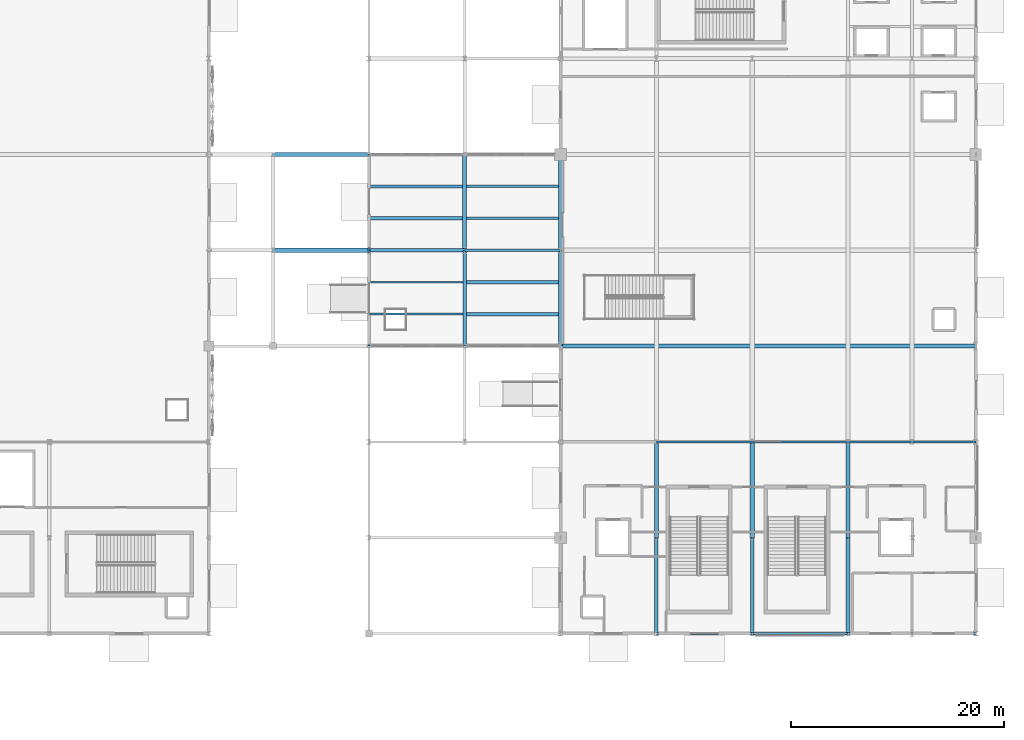
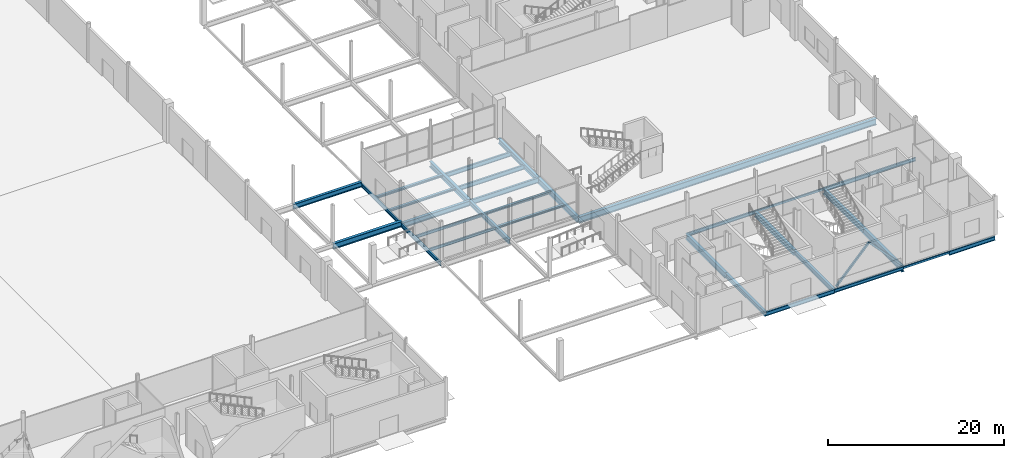
# One storey, part 32 of 94: 33 beams, 2 members.
"""IFC4 building model written with IfcOpenShell, lengths in metres."""

import ifcopenshell
import ifcopenshell.guid

model = None  # the IFC model being written
_history = None  # IfcOwnerHistory: only IFC2X3 demands one
_inside = {}  # id of a spatial element -> (the spatial element, [elements in it])
_under = {}  # id of a project, library or spatial element -> (it, [spatial elements below it])
_declared = {}  # id of a project -> (the project, [libraries it declares])
_typed = {}  # id of a type object -> (the type object, [elements of that type])
_made_of = {}  # id of a material, layer set ... -> (it, [elements and type objects made of it])


def new_model(schema):
    """Start an empty IFC model of exactly this schema.

    Asked for "IFC4X3", IfcOpenShell would pick the latest addendum, in which some entities
    have other attributes; the version numbers below select the first issue.
    IFC2X3 requires an IfcOwnerHistory on every rooted entity: one is made here for all.
    """
    global model, _history
    if schema == "IFC4X3":
        model = ifcopenshell.file(schema_version=(4, 3, 0, 0))
    else:
        model = ifcopenshell.file(schema=schema)
    _inside.clear()
    _under.clear()
    _declared.clear()
    _typed.clear()
    _made_of.clear()
    _history = None
    if model.schema == "IFC2X3":
        org = make("IfcOrganization", Name="unknown")
        user = make(
            "IfcPersonAndOrganization",
            ThePerson=make("IfcPerson", FamilyName="unknown"),
            TheOrganization=org,
        )
        app = make(
            "IfcApplication",
            ApplicationDeveloper=org,
            Version="unknown",
            ApplicationFullName="unknown",
            ApplicationIdentifier="unknown",
        )
        _history = make(
            "IfcOwnerHistory",
            OwningUser=user,
            OwningApplication=app,
            ChangeAction="ADDED",
            CreationDate=0,
        )
    return model


def make(cls, **values):
    """One entity of the class cls with the attributes given. An attribute that is None is left unset."""
    return model.create_entity(
        cls, **{name: value for name, value in values.items() if value is not None}
    )


def rooted(cls, **values):
    """An entity with a GlobalId (a new one), such as an element, a storey or a relation."""
    return make(cls, GlobalId=ifcopenshell.guid.new(), OwnerHistory=_history, **values)


def si_unit(unit_type, name, prefix=None):
    """IfcSIUnit, for example si_unit("LENGTHUNIT", "METRE", prefix="MILLI")."""
    return make("IfcSIUnit", UnitType=unit_type, Prefix=prefix, Name=name)


def assignment(units):
    """IfcUnitAssignment: the units of a project."""
    return None if units is None else make("IfcUnitAssignment", Units=units)


def point(xyz):
    """IfcCartesianPoint."""
    return None if xyz is None else make("IfcCartesianPoint", Coordinates=xyz)


def direction(xyz):
    """IfcDirection."""
    return None if xyz is None else make("IfcDirection", DirectionRatios=xyz)


def frame(location, z_axis=None, x_axis=None):
    """IfcAxis2Placement3D, a coordinate frame: its origin and axes. An axis left out is left unset."""
    return make(
        "IfcAxis2Placement3D",
        Location=point(location),
        Axis=direction(z_axis),
        RefDirection=direction(x_axis),
    )


def frame_2d(location, x_axis=None):
    """IfcAxis2Placement2D, a coordinate frame in the plane: its origin and x axis."""
    return make(
        "IfcAxis2Placement2D", Location=point(location), RefDirection=direction(x_axis)
    )


def origin():
    """The frame at (0, 0, 0) with its axes left unset."""
    return frame((0.0, 0.0, 0.0))


def origin_2d():
    """The frame at (0, 0) in the plane with its x axis left unset."""
    return frame_2d((0.0, 0.0))


def place(relative_to, where):
    """IfcLocalPlacement: puts the frame where relative to a parent placement (None: the world)."""
    return make(
        "IfcLocalPlacement", PlacementRelTo=relative_to, RelativePlacement=where
    )


def context(
    kind, dimensions, precision=None, world=None, true_north=None, identifier=None
):
    """IfcGeometricRepresentationContext, for example the 3D "Model" context."""
    return make(
        "IfcGeometricRepresentationContext",
        ContextIdentifier=identifier,
        ContextType=kind,
        CoordinateSpaceDimension=dimensions,
        Precision=precision,
        WorldCoordinateSystem=world,
        TrueNorth=true_north,
    )


def subcontext(parent, identifier, kind, view, scale=None):
    """IfcGeometricRepresentationSubContext, for example "Body" below "Model"."""
    return make(
        "IfcGeometricRepresentationSubContext",
        ContextIdentifier=identifier,
        ContextType=kind,
        ParentContext=parent,
        TargetScale=scale,
        TargetView=view,
    )


def project(units=None, contexts=None):
    """IfcProject with its units and contexts."""
    return rooted(
        "IfcProject",
        Name="project",
        RepresentationContexts=contexts,
        UnitsInContext=assignment(units),
    )


def spatial(cls, under=None, at=None, **own):
    """A site, building, storey or space (cls), placed at a placement, below another one or the project."""
    s = rooted(cls, ObjectPlacement=at, **own)
    if under is not None:
        _under.setdefault(under.id(), (under, []))[1].append(s)
    return s


def profile(cls, at=None, kind="AREA", **sizes):
    """A parametric profile (cls). Its sizes go by their IFC names, for example OverallWidth=200.0."""
    return make(cls, ProfileType=kind, Position=at, **sizes)


def hollow_rectangle(**sizes):
    """IfcRectangleHollowProfileDef."""
    return profile("IfcRectangleHollowProfileDef", **sizes)


def i_section(**sizes):
    """IfcIShapeProfileDef."""
    return profile("IfcIShapeProfileDef", **sizes)


def extrude(swept, where, along, depth):
    """IfcExtrudedAreaSolid: the profile swept, set in the frame where, extruded along a direction by depth."""
    return make(
        "IfcExtrudedAreaSolid",
        SweptArea=swept,
        Position=where,
        ExtrudedDirection=direction(along),
        Depth=depth,
    )


def shape(context_of_items, identifier, shape_type, items):
    """IfcShapeRepresentation: the items that make up one representation, for example the "Body"."""
    return make(
        "IfcShapeRepresentation",
        ContextOfItems=context_of_items,
        RepresentationIdentifier=identifier,
        RepresentationType=shape_type,
        Items=items,
    )


def material(Name=None, Category=None):
    """IfcMaterial."""
    return make("IfcMaterial", Name=Name, Category=Category)


def material_profile(
    of_material, cross_section, Name=None, Category=None, Priority=None
):
    """IfcMaterialProfile: a cross section and its material."""
    return make(
        "IfcMaterialProfile",
        Name=Name,
        Material=of_material,
        Profile=cross_section,
        Priority=Priority,
        Category=Category,
    )


def profile_set(profiles, Name=None, composite=None):
    """IfcMaterialProfileSet."""
    return make(
        "IfcMaterialProfileSet",
        Name=Name,
        MaterialProfiles=profiles,
        CompositeProfile=composite,
    )


def made_of(thing, what):
    """Note that an element or type object is made of a material, layer set ...; save() writes the relation."""
    if what is not None:
        _made_of.setdefault(what.id(), (what, []))[1].append(thing)
    return thing


def type_object(cls, material=None, **own):
    """A type object (cls), such as IfcWallType, which elements share."""
    return made_of(rooted(cls, **own), material)


def element(
    cls,
    number,
    at=None,
    inside=None,
    cuts=None,
    type_object=None,
    material=None,
    context=None,
    identifier="Body",
    shape_type=None,
    held_by="IfcProductDefinitionShape",
    body=None,
    shapes=None,
    **own,
):
    """One element of the class cls, such as IfcWall. Its Tag is "e" and its number.

    at: its placement. inside: the storey or other place that contains it. cuts: it is an
    opening in that element (IfcRelVoidsElement). A single representation is given by context,
    identifier, shape_type and body (its items); several are given by shapes. held_by: the class
    of the entity that holds the representations. save() writes the other relations.
    """
    e = rooted(cls, Tag="e%d" % number, ObjectPlacement=at, **own)
    if body is not None:
        shapes = [shape(context, identifier, shape_type, body)]
    if shapes is not None:
        e.Representation = make(held_by, Representations=shapes)
    if inside is not None:
        _inside.setdefault(inside.id(), (inside, []))[1].append(e)
    if cuts is not None:
        rooted(
            "IfcRelVoidsElement", RelatingBuildingElement=cuts, RelatedOpeningElement=e
        )
    if type_object is not None:
        _typed.setdefault(type_object.id(), (type_object, []))[1].append(e)
    return made_of(e, material)


def aggregate(whole, parts):
    """IfcRelAggregates: a whole, such as a stair, and the parts it consists of."""
    return rooted("IfcRelAggregates", RelatingObject=whole, RelatedObjects=parts)


def save(model, path):
    """Write the relations noted so far, then the file.

    IfcRelAggregates (storeys below a building ...), IfcRelContainedInSpatialStructure (elements
    in a storey), IfcRelDefinesByType, IfcRelAssociatesMaterial and IfcRelDeclares: one each for
    every whole, place, type object, material and project.
    """
    for whole, parts in _under.values():
        aggregate(whole, parts)
    for where, things in _inside.values():
        rooted(
            "IfcRelContainedInSpatialStructure",
            RelatedElements=things,
            RelatingStructure=where,
        )
    for kind, things in _typed.values():
        rooted("IfcRelDefinesByType", RelatedObjects=things, RelatingType=kind)
    for what, things in _made_of.values():
        rooted("IfcRelAssociatesMaterial", RelatedObjects=things, RelatingMaterial=what)
    for by, libraries in _declared.values():
        rooted("IfcRelDeclares", RelatingContext=by, RelatedDefinitions=libraries)
    model.write(path)


model = new_model("IFC4")

# Units and contexts
model_context = context("Model", 3, precision=1e-05, world=origin(), true_north=direction((0.0, 1.0)))
body_context = subcontext(model_context, "Body", "Model", "MODEL_VIEW")
ifc_project = project(units=[si_unit("LENGTHUNIT", "METRE"), si_unit("AREAUNIT", "SQUARE_METRE"), si_unit("VOLUMEUNIT", "CUBIC_METRE"), si_unit("PLANEANGLEUNIT", "RADIAN"), si_unit("MASSUNIT", "GRAM", prefix="KILO")], contexts=[model_context])

# Site, building, storey
site_placement = place(None, origin())
site = spatial("IfcSite", under=ifc_project, at=site_placement, CompositionType="ELEMENT")
building_placement = place(site_placement, origin())
building = spatial("IfcBuilding", under=site, at=building_placement, Name="Qamarlyn Nura Convention Centre", CompositionType="ELEMENT")
storey_placement = place(building_placement, origin())
storey = spatial("IfcBuildingStorey", under=building, at=storey_placement, Name="L00", CompositionType="ELEMENT", Elevation=0.0)

# Beams
ifc_material_1 = material(Name="Steel ASTM A992", Category="steel")
ifc_material_profile_1 = material_profile(ifc_material_1, i_section(OverallWidth=0.323974609375, OverallDepth=0.611083984375, WebThickness=0.0126953125, FlangeThickness=0.01904296875, FilletRadius=0.01611328125, at=origin_2d()), Name="W610X155")
ifc_profile_set_1 = profile_set([ifc_material_profile_1], Name="Steel ASTM A992")
beam_type_1 = type_object("IfcBeamType", Name="BM-GIRD-610", PredefinedType="BEAM", material=ifc_profile_set_1)
for number, where, z_axis, x_axis, name in (
    (1, (144.0, 27.0, -0.60546875), (0.0, 1.0, 0.0), (-1.0, 0.0, 0.0), "L00 girder 12 D-E"),
    (2, (162.0, 0.0, -0.58544921875), (0.0, 1.0, 0.0), (-1.0, 0.0, 0.0), "L00 girder 14 A-B"),
    (3, (171.0, 0.0, -0.58544921875), (0.0, 1.0, 0.0), (-1.0, 0.0, 0.0), "L00 girder 15 A-B"),
):
    element("IfcBeam", number, at=place(storey_placement, frame(where, z_axis=z_axis, x_axis=x_axis)), inside=storey, type_object=beam_type_1, Name=name, PredefinedType="BEAM", context=body_context, shape_type="SweptSolid", body=[
        extrude(i_section(OverallWidth=0.323974609375, OverallDepth=0.611083984375, WebThickness=0.0126953125, FlangeThickness=0.01904296875, FilletRadius=0.01611328125, at=origin_2d()), origin(), (0.0, 0.0, 1.0), 9.0),
    ])
ifc_material_profile_2 = material_profile(ifc_material_1, i_section(OverallWidth=0.35498046875, OverallDepth=0.695068359375, WebThickness=0.015380859375, FlangeThickness=0.02490234375, FilletRadius=0.01806640625, at=origin_2d()), Name="W690X217")
ifc_profile_set_2 = profile_set([ifc_material_profile_2], Name="Steel ASTM A992")
beam_type_2 = type_object("IfcBeamType", Name="BM-GIRD-690A", PredefinedType="BEAM", material=ifc_profile_set_2)
for number, where, z_axis, x_axis, name in (
    (4, (135.0, 36.0, -0.6474609375), (1.0, 0.0, 0.0), (0.0, 1.0, 0.0), "L00 girder E 11-12"),
    (5, (126.0, 45.0, -0.347412109375), (1.0, 0.0, 0.0), (0.0, 1.0, 0.0), "L00 girder F 10-11"),
    (6, (153.0, 36.0, -0.6474609375), (0.0, 1.0, 0.0), (-1.0, 0.0, 0.0), "L00 girder 13 E-F"),
):
    element("IfcBeam", number, at=place(storey_placement, frame(where, z_axis=z_axis, x_axis=x_axis)), inside=storey, type_object=beam_type_2, Name=name, PredefinedType="BEAM", context=body_context, shape_type="SweptSolid", body=[
        extrude(i_section(OverallWidth=0.35498046875, OverallDepth=0.695068359375, WebThickness=0.015380859375, FlangeThickness=0.02490234375, FilletRadius=0.01806640625, at=origin_2d()), origin(), (0.0, 0.0, 1.0), 9.0),
    ])
ifc_material_profile_3 = material_profile(ifc_material_1, i_section(OverallWidth=0.25390625, OverallDepth=0.68408203125, WebThickness=0.012451171875, FlangeThickness=0.01904296875, FilletRadius=0.01806640625, at=origin_2d()), Name="W690X140")
ifc_profile_set_3 = profile_set([ifc_material_profile_3], Name="Steel ASTM A992")
beam_type_3 = type_object("IfcBeamType", Name="BM-GIRD-690B", PredefinedType="BEAM", material=ifc_profile_set_3)
beam_1_placement = place(storey_placement, frame((144.0, 36.0, -0.64208984375), z_axis=(1.0, 0.0, 0.0), x_axis=(0.0, 1.0, 0.0)))
element("IfcBeam", 7, at=beam_1_placement, inside=storey, type_object=beam_type_3, Name="L00 girder E 12-13", PredefinedType="BEAM", context=body_context, shape_type="SweptSolid", body=[
    extrude(i_section(OverallWidth=0.25390625, OverallDepth=0.68408203125, WebThickness=0.012451171875, FlangeThickness=0.01904296875, FilletRadius=0.01806640625, at=origin_2d()), origin(), (0.0, 0.0, 1.0), 9.0),
])
ifc_material_profile_4 = material_profile(ifc_material_1, i_section(OverallWidth=0.381103515625, OverallDepth=0.77294921875, WebThickness=0.0166015625, FlangeThickness=0.027587890625, FilletRadius=0.02001953125, at=origin_2d()), Name="W760X257")
ifc_profile_set_4 = profile_set([ifc_material_profile_4], Name="Steel ASTM A992")
beam_type_4 = type_object("IfcBeamType", Name="BM-GIRD-760", PredefinedType="BEAM", material=ifc_profile_set_4)
for number, where, z_axis, x_axis, name in (
    (8, (126.0, 36.0, -0.386474609375), (1.0, 0.0, 0.0), (0.0, 1.0, 0.0), "L00 girder E 10-11"),
    (9, (144.0, 36.0, -0.6865234375), (0.0, 1.0, 0.0), (-1.0, 0.0, 0.0), "L00 girder 12 E-F"),
    (10, (153.0, 27.0, -0.6865234375), (0.0, 1.0, 0.0), (-1.0, 0.0, 0.0), "L00 girder 13 D-E"),
    (11, (162.0, 9.0, -0.66650390625), (0.0, 1.0, 0.0), (-1.0, 0.0, 0.0), "L00 girder 14 B-C"),
    (12, (171.0, 9.0, -0.66650390625), (0.0, 1.0, 0.0), (-1.0, 0.0, 0.0), "L00 girder 15 B-C"),
    (13, (180.0, 0.0, -0.66650390625), (0.0, 1.0, 0.0), (-1.0, 0.0, 0.0), "L00 girder 16 A-B"),
    (14, (180.0, 9.0, -0.66650390625), (0.0, 1.0, 0.0), (-1.0, 0.0, 0.0), "L00 girder 16 B-C"),
):
    element("IfcBeam", number, at=place(storey_placement, frame(where, z_axis=z_axis, x_axis=x_axis)), inside=storey, type_object=beam_type_4, Name=name, PredefinedType="BEAM", context=body_context, shape_type="SweptSolid", body=[
        extrude(i_section(OverallWidth=0.381103515625, OverallDepth=0.77294921875, WebThickness=0.0166015625, FlangeThickness=0.027587890625, FilletRadius=0.02001953125, at=origin_2d()), origin(), (0.0, 0.0, 1.0), 9.0),
    ])
ifc_material_profile_5 = material_profile(ifc_material_1, i_section(OverallWidth=0.39990234375, OverallDepth=0.85498046875, WebThickness=0.018310546875, FlangeThickness=0.029296875, FilletRadius=0.02197265625, at=origin_2d()), Name="W840X299")
ifc_profile_set_5 = profile_set([ifc_material_profile_5], Name="Steel ASTM A992")
beam_type_5 = type_object("IfcBeamType", Name="BM-GIRD-840", PredefinedType="BEAM", material=ifc_profile_set_5)
beam_2_placement = place(storey_placement, frame((153.0, 27.0, -0.70751953125), z_axis=(1.0, 0.0, 0.0), x_axis=(0.0, 1.0, 0.0)))
element("IfcBeam", 15, at=beam_2_placement, inside=storey, type_object=beam_type_5, Name="L00 girder D 13-18", PredefinedType="BEAM", context=body_context, shape_type="SweptSolid", body=[
    extrude(i_section(OverallWidth=0.39990234375, OverallDepth=0.85498046875, WebThickness=0.018310546875, FlangeThickness=0.029296875, FilletRadius=0.02197265625, at=origin_2d()), origin(), (0.0, 0.0, 1.0), 39.0),
])
ifc_material_profile_6 = material_profile(ifc_material_1, i_section(OverallWidth=0.304931640625, OverallDepth=0.30810546875, WebThickness=0.010009765625, FlangeThickness=0.015380859375, FilletRadius=0.014892578125, at=origin_2d()), Name="W310X97")
ifc_profile_set_6 = profile_set([ifc_material_profile_6], Name="Steel ASTM A992")
beam_type_6 = type_object("IfcBeamType", Name="BM-JOIST-310", PredefinedType="JOIST", material=ifc_profile_set_6)
for number, where, z_axis, x_axis, name in (
    (16, (135.096435546875, 39.0, -0.4541015625), (1.0, 0.0, 0.0), (0.0, 1.0, 0.0), "L00 composite joist 11-12/E+1"),
    (17, (135.096435546875, 42.0, -0.4541015625), (1.0, 0.0, 0.0), (0.0, 1.0, 0.0), "L00 composite joist 11-12/E+2"),
):
    element("IfcBeam", number, at=place(storey_placement, frame(where, z_axis=z_axis, x_axis=x_axis)), inside=storey, type_object=beam_type_6, Name=name, PredefinedType="JOIST", context=body_context, shape_type="SweptSolid", body=[
        extrude(i_section(OverallWidth=0.304931640625, OverallDepth=0.30810546875, WebThickness=0.010009765625, FlangeThickness=0.015380859375, FilletRadius=0.014892578125, at=origin_2d()), origin(), (0.0, 0.0, 1.0), 8.713134765625),
    ])
for number, where, z_axis, x_axis, name in (
    (18, (144.162109375, 30.0, -0.4541015625), (1.0, 0.0, 0.0), (0.0, 1.0, 0.0), "L00 composite joist 12-13/D+1"),
    (19, (144.162109375, 33.0, -0.4541015625), (1.0, 0.0, 0.0), (0.0, 1.0, 0.0), "L00 composite joist 12-13/D+2"),
):
    element("IfcBeam", number, at=place(storey_placement, frame(where, z_axis=z_axis, x_axis=x_axis)), inside=storey, type_object=beam_type_6, Name=name, PredefinedType="JOIST", context=body_context, shape_type="SweptSolid", body=[
        extrude(i_section(OverallWidth=0.304931640625, OverallDepth=0.30810546875, WebThickness=0.010009765625, FlangeThickness=0.015380859375, FilletRadius=0.014892578125, at=origin_2d()), origin(), (0.0, 0.0, 1.0), 8.6474609375),
    ])
ifc_material_profile_7 = material_profile(ifc_material_1, i_section(OverallWidth=0.177978515625, OverallDepth=0.406982421875, WebThickness=0.0078125, FlangeThickness=0.0126953125, FilletRadius=0.011962890625, at=origin_2d()), Name="W410X60")
ifc_profile_set_7 = profile_set([ifc_material_profile_7], Name="Steel ASTM A992")
beam_type_7 = type_object("IfcBeamType", Name="BM-JOIST-410", PredefinedType="JOIST", material=ifc_profile_set_7)
for number, where, z_axis, x_axis, name in (
    (20, (135.10546875, 30.0, -0.50341796875), (1.0, 0.0, 0.0), (0.0, 1.0, 0.0), "L00 composite joist 11-12/D+1"),
    (21, (135.10546875, 33.0, -0.50341796875), (1.0, 0.0, 0.0), (0.0, 1.0, 0.0), "L00 composite joist 11-12/D+2"),
):
    element("IfcBeam", number, at=place(storey_placement, frame(where, z_axis=z_axis, x_axis=x_axis)), inside=storey, type_object=beam_type_7, Name=name, PredefinedType="JOIST", context=body_context, shape_type="SweptSolid", body=[
        extrude(i_section(OverallWidth=0.177978515625, OverallDepth=0.406982421875, WebThickness=0.0078125, FlangeThickness=0.0126953125, FilletRadius=0.011962890625, at=origin_2d()), origin(), (0.0, 0.0, 1.0), 8.732421875),
    ])
ifc_material_profile_8 = material_profile(ifc_material_1, i_section(OverallWidth=0.22802734375, OverallDepth=0.60791015625, WebThickness=0.01123046875, FlangeThickness=0.017333984375, FilletRadius=0.01611328125, at=origin_2d()), Name="W610X113")
ifc_profile_set_8 = profile_set([ifc_material_profile_8], Name="Steel ASTM A992")
beam_type_8 = type_object("IfcBeamType", Name="BM-JOIST-610", PredefinedType="JOIST", material=ifc_profile_set_8)
for number, where, z_axis, x_axis, name in (
    (22, (144.1904296875, 39.0, -0.60400390625), (1.0, 0.0, 0.0), (0.0, 1.0, 0.0), "L00 composite joist 12-13/E+1"),
    (23, (144.1904296875, 42.0, -0.60400390625), (1.0, 0.0, 0.0), (0.0, 1.0, 0.0), "L00 composite joist 12-13/E+2"),
):
    element("IfcBeam", number, at=place(storey_placement, frame(where, z_axis=z_axis, x_axis=x_axis)), inside=storey, type_object=beam_type_8, Name=name, PredefinedType="JOIST", context=body_context, shape_type="SweptSolid", body=[
        extrude(i_section(OverallWidth=0.22802734375, OverallDepth=0.60791015625, WebThickness=0.01123046875, FlangeThickness=0.017333984375, FilletRadius=0.01611328125, at=origin_2d()), origin(), (0.0, 0.0, 1.0), 8.632080078125),
    ])
ifc_material_profile_9 = material_profile(ifc_material_1, i_section(OverallWidth=0.193115234375, OverallDepth=0.466064453125, WebThickness=0.011474609375, FlangeThickness=0.01904296875, FilletRadius=0.012939453125, at=origin_2d()), Name="W460X97")
ifc_profile_set_9 = profile_set([ifc_material_profile_9], Name="Steel ASTM A992")
beam_type_9 = type_object("IfcBeamType", Name="BM-SPAN-460", PredefinedType="SPANDREL", material=ifc_profile_set_9)
for number, where, z_axis, x_axis, name in (
    (24, (171.0, 0.0, -0.512939453125), (1.0, 0.0, 0.0), (0.0, 1.0, 0.0), "L00 girder A 15-16"),
    (25, (162.0, 18.0, -0.512939453125), (1.0, 0.0, 0.0), (0.0, 1.0, 0.0), "L00 girder C 14-15"),
):
    element("IfcBeam", number, at=place(storey_placement, frame(where, z_axis=z_axis, x_axis=x_axis)), inside=storey, type_object=beam_type_9, Name=name, PredefinedType="SPANDREL", context=body_context, shape_type="SweptSolid", body=[
        extrude(i_section(OverallWidth=0.193115234375, OverallDepth=0.466064453125, WebThickness=0.011474609375, FlangeThickness=0.01904296875, FilletRadius=0.012939453125, at=origin_2d()), origin(), (0.0, 0.0, 1.0), 9.0),
    ])
beam_3_placement = place(storey_placement, frame((186.0, 18.0, -0.512939453125), z_axis=(1.0, 0.0, 0.0), x_axis=(0.0, 1.0, 0.0)))
element("IfcBeam", 26, at=beam_3_placement, inside=storey, type_object=beam_type_9, Name="L00 girder C 17-18", PredefinedType="SPANDREL", context=body_context, shape_type="SweptSolid", body=[
    extrude(i_section(OverallWidth=0.193115234375, OverallDepth=0.466064453125, WebThickness=0.011474609375, FlangeThickness=0.01904296875, FilletRadius=0.012939453125, at=origin_2d()), origin(), (0.0, 0.0, 1.0), 6.0),
])
beam_4_placement = place(storey_placement, frame((135.0, 36.0, -0.532958984375), z_axis=(0.0, 1.0, 0.0), x_axis=(-1.0, 0.0, 0.0)))
element("IfcBeam", 27, at=beam_4_placement, inside=storey, type_object=beam_type_9, Name="L00 girder 11 E-F", PredefinedType="SPANDREL", context=body_context, shape_type="SweptSolid", body=[
    extrude(i_section(OverallWidth=0.193115234375, OverallDepth=0.466064453125, WebThickness=0.011474609375, FlangeThickness=0.01904296875, FilletRadius=0.012939453125, at=origin_2d()), origin(), (0.0, 0.0, 1.0), 9.0),
])
ifc_material_profile_10 = material_profile(ifc_material_1, i_section(OverallWidth=0.2109375, OverallDepth=0.5390625, WebThickness=0.01171875, FlangeThickness=0.018798828125, FilletRadius=0.013916015625, at=origin_2d()), Name="W530X109")
ifc_profile_set_10 = profile_set([ifc_material_profile_10], Name="Steel ASTM A992")
beam_type_10 = type_object("IfcBeamType", Name="BM-SPAN-530", PredefinedType="SPANDREL", material=ifc_profile_set_10)
beam_5_placement = place(storey_placement, frame((162.0, 0.0, -0.549560546875), z_axis=(1.0, 0.0, 0.0), x_axis=(0.0, 1.0, 0.0)))
element("IfcBeam", 28, at=beam_5_placement, inside=storey, type_object=beam_type_10, Name="L00 girder A 14-15", PredefinedType="SPANDREL", context=body_context, shape_type="SweptSolid", body=[
    extrude(i_section(OverallWidth=0.2109375, OverallDepth=0.5390625, WebThickness=0.01171875, FlangeThickness=0.018798828125, FilletRadius=0.013916015625, at=origin_2d()), origin(), (0.0, 0.0, 1.0), 9.0),
])
for number, where, z_axis, x_axis, name in (
    (29, (186.0, 0.0, -0.549560546875), (1.0, 0.0, 0.0), (0.0, 1.0, 0.0), "L00 girder A 17-18"),
    (30, (180.0, 18.0, -0.549560546875), (1.0, 0.0, 0.0), (0.0, 1.0, 0.0), "L00 girder C 16-17"),
):
    element("IfcBeam", number, at=place(storey_placement, frame(where, z_axis=z_axis, x_axis=x_axis)), inside=storey, type_object=beam_type_10, Name=name, PredefinedType="SPANDREL", context=body_context, shape_type="SweptSolid", body=[
        extrude(i_section(OverallWidth=0.2109375, OverallDepth=0.5390625, WebThickness=0.01171875, FlangeThickness=0.018798828125, FilletRadius=0.013916015625, at=origin_2d()), origin(), (0.0, 0.0, 1.0), 6.0),
    ])
beam_6_placement = place(storey_placement, frame((135.0, 27.0, -0.569580078125), z_axis=(0.0, 1.0, 0.0), x_axis=(-1.0, 0.0, 0.0)))
element("IfcBeam", 31, at=beam_6_placement, inside=storey, type_object=beam_type_10, Name="L00 girder 11 D-E", PredefinedType="SPANDREL", context=body_context, shape_type="SweptSolid", body=[
    extrude(i_section(OverallWidth=0.2109375, OverallDepth=0.5390625, WebThickness=0.01171875, FlangeThickness=0.018798828125, FilletRadius=0.013916015625, at=origin_2d()), origin(), (0.0, 0.0, 1.0), 9.0),
])
ifc_material_2 = material(Name="Steel ASTM A500 Grade C", Category="steel")
ifc_material_profile_11 = material_profile(ifc_material_2, hollow_rectangle(XDim=0.199951171875, YDim=0.300048828125, WallThickness=0.012451171875, InnerFilletRadius=0.012451171875, OuterFilletRadius=0.02490234375, at=origin_2d()), Name="HSS300X200X12.5")
ifc_profile_set_11 = profile_set([ifc_material_profile_11], Name="Steel ASTM A500 Grade C")
beam_type_11 = type_object("IfcBeamType", Name="BM-SPAN-HSS", PredefinedType="SPANDREL", material=ifc_profile_set_11)
beam_7_placement = place(storey_placement, frame((180.0, 0.0, -0.429931640625), z_axis=(1.0, 0.0, 0.0), x_axis=(0.0, 1.0, 0.0)))
element("IfcBeam", 32, at=beam_7_placement, inside=storey, type_object=beam_type_11, Name="L00 girder A 16-17", PredefinedType="SPANDREL", context=body_context, shape_type="SweptSolid", body=[
    extrude(hollow_rectangle(XDim=0.199951171875, YDim=0.300048828125, WallThickness=0.012451171875, InnerFilletRadius=0.012451171875, OuterFilletRadius=0.02490234375, at=origin_2d()), origin(), (0.0, 0.0, 1.0), 6.0),
])
beam_8_placement = place(storey_placement, frame((171.0, 18.0, -0.429931640625), z_axis=(1.0, 0.0, 0.0), x_axis=(0.0, 1.0, 0.0)))
element("IfcBeam", 33, at=beam_8_placement, inside=storey, type_object=beam_type_11, Name="L00 girder C 15-16", PredefinedType="SPANDREL", context=body_context, shape_type="SweptSolid", body=[
    extrude(hollow_rectangle(XDim=0.199951171875, YDim=0.300048828125, WallThickness=0.012451171875, InnerFilletRadius=0.012451171875, OuterFilletRadius=0.02490234375, at=origin_2d()), origin(), (0.0, 0.0, 1.0), 9.0),
])

# Members
ifc_material_profile_12 = material_profile(ifc_material_2, hollow_rectangle(XDim=0.25, YDim=0.25, WallThickness=0.012451171875, InnerFilletRadius=0.012451171875, OuterFilletRadius=0.02490234375, at=origin_2d()), Name="HSS250X250X12.5")
ifc_profile_set_12 = profile_set([ifc_material_profile_12], Name="Steel ASTM A500 Grade C")
member_type = type_object("IfcMemberType", Name="CBF-BRC-250", PredefinedType="BRACE", material=ifc_profile_set_12)
for number, where, z_axis, x_axis, name in (
    (34, (171.179931640625, 0.0, 0.0), (0.681336732305, 0.0, 0.731970120436), (0.0, 1.0, 0.0), "L00 SCBF chevron brace CBF-E1L"),
    (35, (179.820068359375, 0.0, 0.0), (-0.681336732305, 0.0, 0.731970120436), (0.0, -1.0, 0.0), "L00 SCBF chevron brace CBF-E1R"),
):
    element("IfcMember", number, at=place(storey_placement, frame(where, z_axis=z_axis, x_axis=x_axis)), inside=storey, type_object=member_type, Name=name, PredefinedType="BRACE", context=body_context, shape_type="SweptSolid", body=[
        extrude(hollow_rectangle(XDim=0.25, YDim=0.25, WallThickness=0.012451171875, InnerFilletRadius=0.012451171875, OuterFilletRadius=0.02490234375, at=origin_2d()), origin(), (0.0, 0.0, 1.0), 6.340576171875),
    ])

save(model, "model.ifc")
